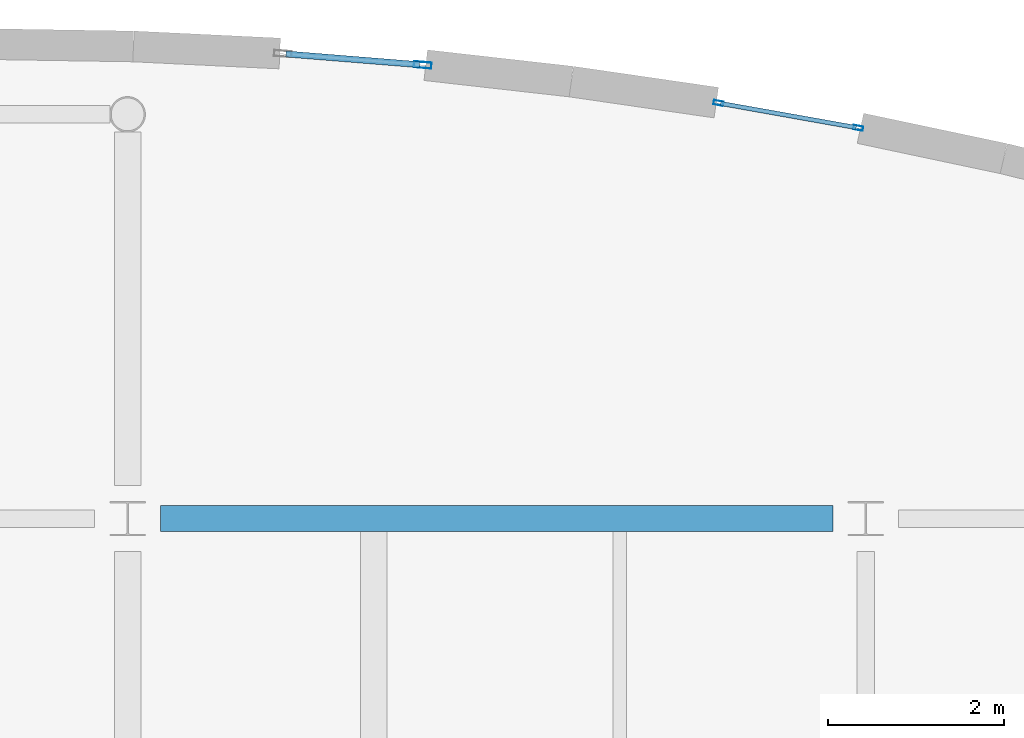
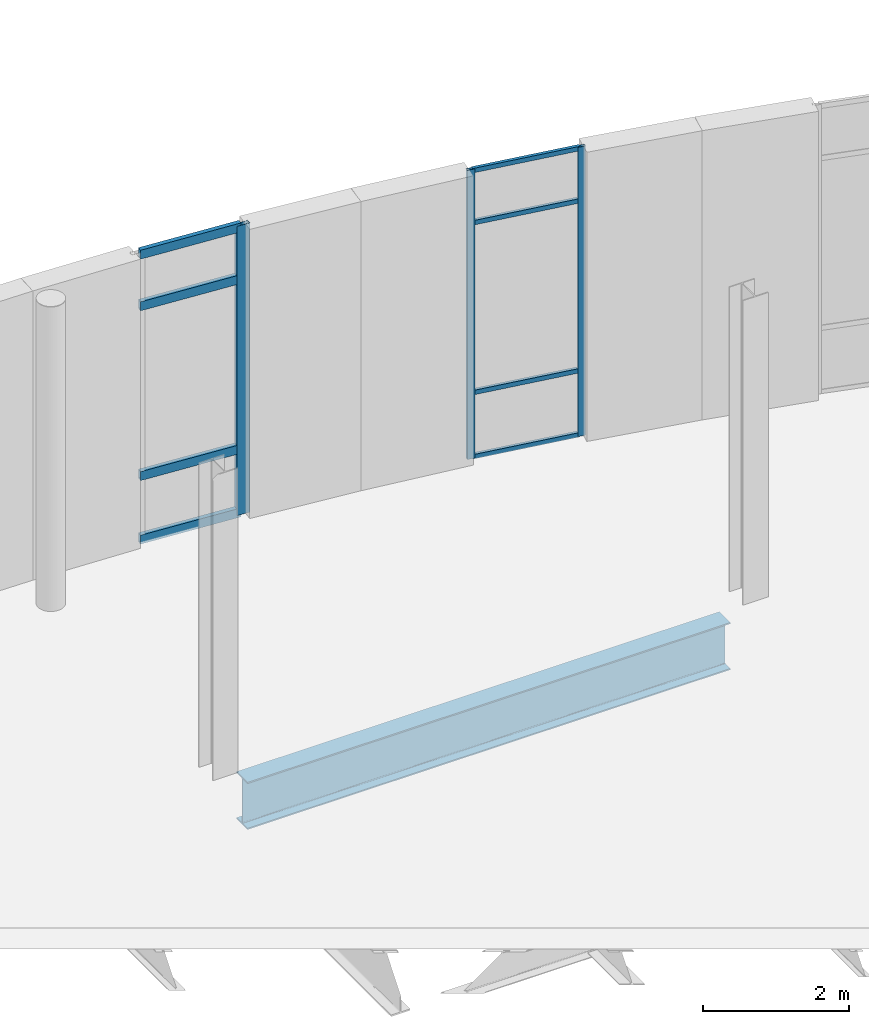
# One storey, part 37 of 104: 11 members, 1 beam, 2 elements without a shape of their own.
"""IFC4 building model written with IfcOpenShell, lengths in metres."""

from ifc_helpers import new_model, si_unit, direction, frame, origin, origin_2d, place, context, subcontext, project, spatial, hollow_rectangle, i_section, extrude, material, layer, layer_set, material_profile, profile_set, type_object, element, aggregate, save


model = new_model("IFC4")

# Units and contexts
model_context = context("Model", 3, precision=1e-05, world=origin(), true_north=direction((0.0, 1.0)))
body_context = subcontext(model_context, "Body", "Model", "MODEL_VIEW")
ifc_project = project(units=[si_unit("LENGTHUNIT", "METRE"), si_unit("AREAUNIT", "SQUARE_METRE"), si_unit("VOLUMEUNIT", "CUBIC_METRE"), si_unit("PLANEANGLEUNIT", "RADIAN"), si_unit("MASSUNIT", "GRAM", prefix="KILO"), si_unit("THERMODYNAMICTEMPERATUREUNIT", "KELVIN")], contexts=[model_context])

# Site, building, storey
site_placement = place(None, origin())
site = spatial("IfcSite", under=ifc_project, at=site_placement, CompositionType="ELEMENT")
building_placement = place(site_placement, origin())
building = spatial("IfcBuilding", under=site, at=building_placement, Name="Lustrewick Department Store", CompositionType="ELEMENT")
storey_placement = place(building_placement, frame((0.0, 0.0, 11.39990234375)))
storey = spatial("IfcBuildingStorey", under=building, at=storey_placement, Name="L03", CompositionType="ELEMENT", Elevation=11.39990234375)

# Curtain wall, members
ifc_material_1 = material(Name="Thermally broken aluminium 6063-T5", Category="aluminium")
ifc_layer_1 = layer(ifc_material_1, 0.110107421875, Name="Thermally broken aluminium 6063-T5")
ifc_layer_set_1 = layer_set([ifc_layer_1], Name="Thermally broken aluminium 6063-T5")
curtain_wall_type_1 = type_object("IfcCurtainWallType", Name="CW09", PredefinedType="NOTDEFINED", material=ifc_layer_set_1)
curtain_wall_1_placement = place(storey_placement, origin())
curtain_wall_1 = element("IfcCurtainWall", 1, at=curtain_wall_1_placement, inside=storey, type_object=curtain_wall_type_1, Name="L03 V4 Curtain Wall CW09", PredefinedType="NOTDEFINED")
ifc_material_profile_1 = material_profile(ifc_material_1, hollow_rectangle(XDim=0.050048828125, YDim=0.110107421875, WallThickness=0.0029296875, at=origin_2d()), Name="ALU-M 50x110x3")
ifc_profile_set_1 = profile_set([ifc_material_profile_1], Name="Thermally broken aluminium 6063-T5")
member_type_1 = type_object("IfcMemberType", Name="CW09-M1", PredefinedType="MULLION", material=ifc_profile_set_1)
member_1_placement = place(storey_placement, frame((125.91552734375, 110.6455078125, 0.0), z_axis=(0.0, 0.0, 1.0), x_axis=(-0.175421024539, -0.984493506403, 0.0)))
member_1 = element("IfcMember", 2, at=member_1_placement, type_object=member_type_1, Name="CW09 mullion 1", PredefinedType="MULLION", context=body_context, shape_type="SweptSolid", body=[
    extrude(hollow_rectangle(XDim=0.050048828125, YDim=0.110107421875, WallThickness=0.0029296875, at=origin_2d()), origin(), (0.0, 0.0, 1.0), 4.84521484375),
])
member_2_placement = place(storey_placement, frame((124.32373046875, 110.92919921875, 0.0), z_axis=(0.0, 0.0, 1.0), x_axis=(-0.175421024539, -0.984493506403, 0.0)))
member_2 = element("IfcMember", 3, at=member_2_placement, type_object=member_type_1, Name="CW09 mullion 2", PredefinedType="MULLION", context=body_context, shape_type="SweptSolid", body=[
    extrude(hollow_rectangle(XDim=0.050048828125, YDim=0.110107421875, WallThickness=0.0029296875, at=origin_2d()), origin(), (0.0, 0.0, 1.0), 4.84521484375),
])
ifc_material_profile_2 = material_profile(ifc_material_1, hollow_rectangle(XDim=0.050048828125, YDim=0.074951171875, WallThickness=0.0029296875, at=origin_2d()), Name="ALU-T 50x75x3")
ifc_profile_set_2 = profile_set([ifc_material_profile_2], Name="Thermally broken aluminium 6063-T5")
member_type_2 = type_object("IfcMemberType", Name="CW09-T1", PredefinedType="USERDEFINED", material=ifc_profile_set_2)
member_3_placement = place(storey_placement, frame((125.890869140625, 110.64990234375, 0.025146484375), z_axis=(-0.984487228249, 0.175456254987, 0.0), x_axis=(-0.175456254987, -0.984487228249, 0.0)))
member_3 = element("IfcMember", 4, at=member_3_placement, type_object=member_type_2, Name="CW09 transom 1.1", ObjectType="TRANSOM", PredefinedType="USERDEFINED", context=body_context, shape_type="SweptSolid", body=[
    extrude(hollow_rectangle(XDim=0.050048828125, YDim=0.074951171875, WallThickness=0.0029296875, at=origin_2d()), origin(), (0.0, 0.0, 1.0), 1.56689453125),
])
member_4_placement = place(storey_placement, frame((125.890869140625, 110.64990234375, 1.10009765625), z_axis=(-0.984487228249, 0.175456254987, 0.0), x_axis=(-0.175456254987, -0.984487228249, 0.0)))
member_4 = element("IfcMember", 5, at=member_4_placement, type_object=member_type_2, Name="CW09 transom 1.2", ObjectType="TRANSOM", PredefinedType="USERDEFINED", context=body_context, shape_type="SweptSolid", body=[
    extrude(hollow_rectangle(XDim=0.050048828125, YDim=0.074951171875, WallThickness=0.0029296875, at=origin_2d()), origin(), (0.0, 0.0, 1.0), 1.56689453125),
])
member_5_placement = place(storey_placement, frame((125.890869140625, 110.64990234375, 3.945068359375), z_axis=(-0.984487228249, 0.175456254987, 0.0), x_axis=(-0.175456254987, -0.984487228249, 0.0)))
member_5 = element("IfcMember", 6, at=member_5_placement, type_object=member_type_2, Name="CW09 transom 1.3", ObjectType="TRANSOM", PredefinedType="USERDEFINED", context=body_context, shape_type="SweptSolid", body=[
    extrude(hollow_rectangle(XDim=0.050048828125, YDim=0.074951171875, WallThickness=0.0029296875, at=origin_2d()), origin(), (0.0, 0.0, 1.0), 1.56689453125),
])
member_6_placement = place(storey_placement, frame((125.890869140625, 110.64990234375, 4.820068359375), z_axis=(-0.984487228249, 0.175456254987, 0.0), x_axis=(-0.175456254987, -0.984487228249, 0.0)))
member_6 = element("IfcMember", 7, at=member_6_placement, type_object=member_type_2, Name="CW09 transom 1.4", ObjectType="TRANSOM", PredefinedType="USERDEFINED", context=body_context, shape_type="SweptSolid", body=[
    extrude(hollow_rectangle(XDim=0.050048828125, YDim=0.074951171875, WallThickness=0.0029296875, at=origin_2d()), origin(), (0.0, 0.0, 1.0), 1.56689453125),
])
aggregate(curtain_wall_1, [member_1, member_2, member_3, member_4, member_5, member_6])

ifc_layer_2 = layer(ifc_material_1, 0.199951171875, Name="Thermally broken aluminium 6063-T5")
ifc_layer_set_2 = layer_set([ifc_layer_2], Name="Thermally broken aluminium 6063-T5")
curtain_wall_type_2 = type_object("IfcCurtainWallType", Name="CW10", PredefinedType="NOTDEFINED", material=ifc_layer_set_2)
curtain_wall_2_placement = place(storey_placement, origin())
curtain_wall_2 = element("IfcCurtainWall", 8, at=curtain_wall_2_placement, inside=storey, type_object=curtain_wall_type_2, Name="L03 V4 Curtain Wall CW10", PredefinedType="NOTDEFINED")
ifc_material_profile_3 = material_profile(ifc_material_1, hollow_rectangle(XDim=0.070068359375, YDim=0.199951171875, WallThickness=0.00390625, at=origin_2d()), Name="ALU-M 70x200x4")
ifc_profile_set_3 = profile_set([ifc_material_profile_3], Name="Thermally broken aluminium 6063-T5")
member_type_3 = type_object("IfcMemberType", Name="CW10-M1", PredefinedType="MULLION", material=ifc_profile_set_3)
member_7_placement = place(storey_placement, frame((120.958251953125, 111.362548828125, 0.0), z_axis=(0.0, 0.0, 1.0), x_axis=(-0.08009096545, -0.996787558737, 0.0)))
member_7 = element("IfcMember", 9, at=member_7_placement, type_object=member_type_3, Name="CW10 mullion 1", PredefinedType="MULLION", context=body_context, shape_type="SweptSolid", body=[
    extrude(hollow_rectangle(XDim=0.070068359375, YDim=0.199951171875, WallThickness=0.00390625, at=origin_2d()), origin(), (0.0, 0.0, 1.0), 4.84521484375),
])
ifc_material_profile_4 = material_profile(ifc_material_1, hollow_rectangle(XDim=0.070068359375, YDim=0.14990234375, WallThickness=0.00390625, at=origin_2d()), Name="ALU-T 70x150x4")
ifc_profile_set_4 = profile_set([ifc_material_profile_4], Name="Thermally broken aluminium 6063-T5")
member_type_4 = type_object("IfcMemberType", Name="CW10-T1", PredefinedType="USERDEFINED", material=ifc_profile_set_4)
member_8_placement = place(storey_placement, frame((120.92333984375, 111.365234375, 0.03515625), z_axis=(-0.996786233313, 0.080107459559, 0.0), x_axis=(-0.080107459559, -0.996786233313, 0.0)))
member_8 = element("IfcMember", 10, at=member_8_placement, type_object=member_type_4, Name="CW10 transom 1.1", ObjectType="TRANSOM", PredefinedType="USERDEFINED", context=body_context, shape_type="SweptSolid", body=[
    extrude(hollow_rectangle(XDim=0.070068359375, YDim=0.14990234375, WallThickness=0.00390625, at=origin_2d()), origin(), (0.0, 0.0, 1.0), 1.52685546875),
])
member_9_placement = place(storey_placement, frame((120.92333984375, 111.365234375, 1.10009765625), z_axis=(-0.996786233313, 0.080107459559, 0.0), x_axis=(-0.080107459559, -0.996786233313, 0.0)))
member_9 = element("IfcMember", 11, at=member_9_placement, type_object=member_type_4, Name="CW10 transom 1.2", ObjectType="TRANSOM", PredefinedType="USERDEFINED", context=body_context, shape_type="SweptSolid", body=[
    extrude(hollow_rectangle(XDim=0.070068359375, YDim=0.14990234375, WallThickness=0.00390625, at=origin_2d()), origin(), (0.0, 0.0, 1.0), 1.52685546875),
])
member_10_placement = place(storey_placement, frame((120.92333984375, 111.365234375, 3.945068359375), z_axis=(-0.996786233313, 0.080107459559, 0.0), x_axis=(-0.080107459559, -0.996786233313, 0.0)))
member_10 = element("IfcMember", 12, at=member_10_placement, type_object=member_type_4, Name="CW10 transom 1.3", ObjectType="TRANSOM", PredefinedType="USERDEFINED", context=body_context, shape_type="SweptSolid", body=[
    extrude(hollow_rectangle(XDim=0.070068359375, YDim=0.14990234375, WallThickness=0.00390625, at=origin_2d()), origin(), (0.0, 0.0, 1.0), 1.52685546875),
])
member_11_placement = place(storey_placement, frame((120.92333984375, 111.365234375, 4.81005859375), z_axis=(-0.996786233313, 0.080107459559, 0.0), x_axis=(-0.080107459559, -0.996786233313, 0.0)))
member_11 = element("IfcMember", 13, at=member_11_placement, type_object=member_type_4, Name="CW10 transom 1.4", ObjectType="TRANSOM", PredefinedType="USERDEFINED", context=body_context, shape_type="SweptSolid", body=[
    extrude(hollow_rectangle(XDim=0.070068359375, YDim=0.14990234375, WallThickness=0.00390625, at=origin_2d()), origin(), (0.0, 0.0, 1.0), 1.52685546875),
])
aggregate(curtain_wall_2, [member_7, member_8, member_9, member_10, member_11])

# Beam
ifc_material_2 = material(Name="Structural steel Q355B", Category="steel")
ifc_material_profile_5 = material_profile(ifc_material_2, i_section(OverallWidth=0.300048828125, OverallDepth=0.7919921875, WebThickness=0.013916015625, FlangeThickness=0.02197265625, FilletRadius=0.02197265625, at=origin_2d()), Name="HN 792x300x14x22")
ifc_profile_set_5 = profile_set([ifc_material_profile_5], Name="Structural steel Q355B")
beam_type = type_object("IfcBeamType", Name="G06", PredefinedType="BEAM", material=ifc_profile_set_5)
beam_placement = place(storey_placement, frame((117.97509765625, 106.199951171875, -0.65087890625), z_axis=(1.0, 0.0, 0.0), x_axis=(0.0, 1.0, 0.0)))
element("IfcBeam", 14, at=beam_placement, inside=storey, type_object=beam_type, Name="L03 V4 Girder G06", PredefinedType="BEAM", context=body_context, shape_type="SweptSolid", body=[
    extrude(i_section(OverallWidth=0.300048828125, OverallDepth=0.7919921875, WebThickness=0.013916015625, FlangeThickness=0.02197265625, FilletRadius=0.02197265625, at=origin_2d()), origin(), (0.0, 0.0, 1.0), 7.64990234375),
])

save(model, "model.ifc")
